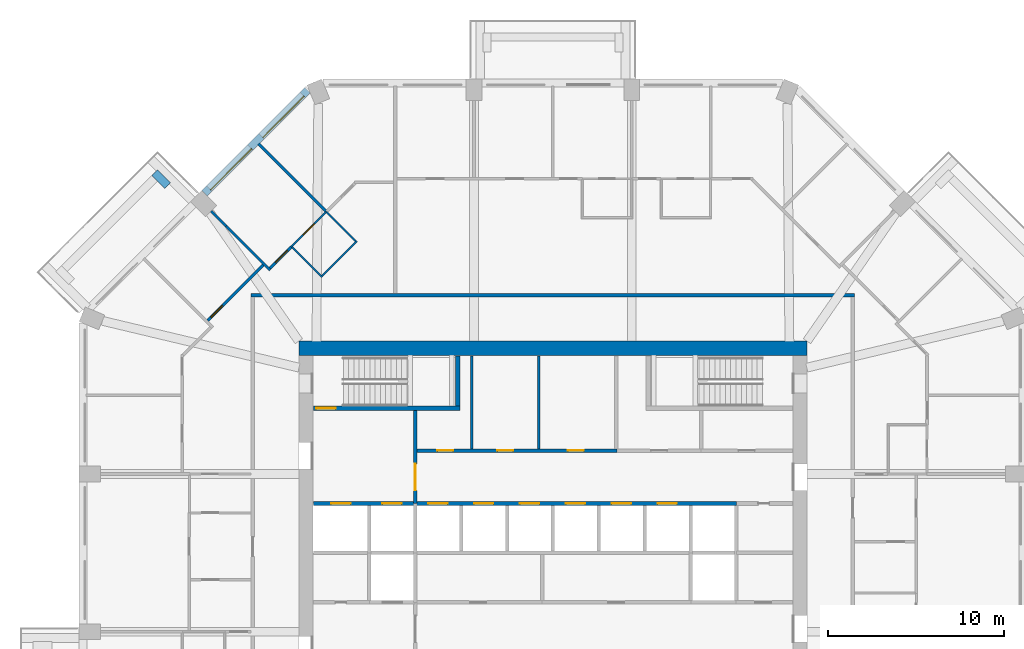
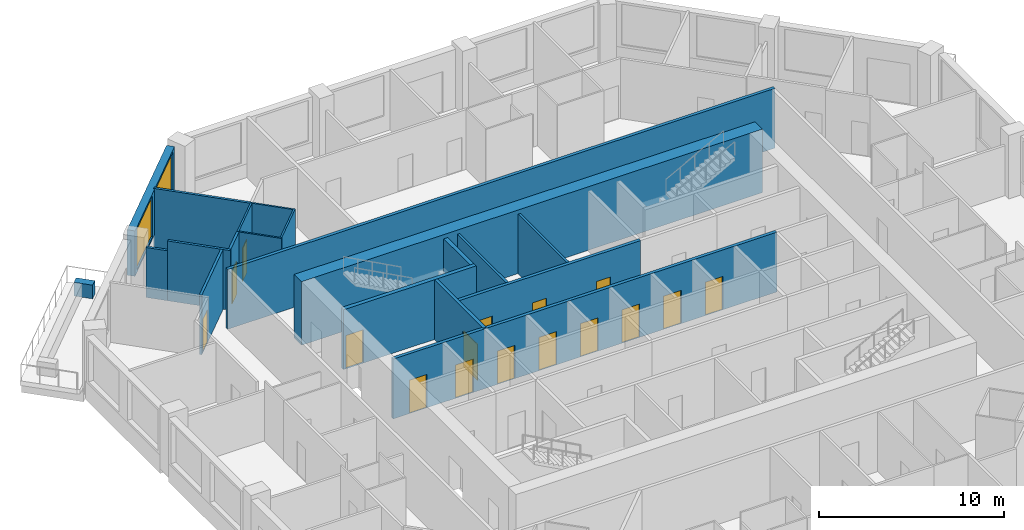
# One storey, part 8 of 12: 20 walls, 16 doors, 2 windows, 18 openings.
"""IFC4 building model written with IfcOpenShell, lengths in metres."""

from ifc_helpers import new_model, si_unit, direction, frame, frame_2d, origin, place, context, subcontext, project, spatial, rectangle, extrude, material, layer, layer_set, type_object, element, fill, save


model = new_model("IFC4")

# Units and contexts
model_context = context("Model", 3, precision=1e-05, world=origin(), true_north=direction((0.0, 1.0)))
body_context = subcontext(model_context, "Body", "Model", "MODEL_VIEW")
ifc_project = project(units=[si_unit("LENGTHUNIT", "METRE"), si_unit("AREAUNIT", "SQUARE_METRE"), si_unit("VOLUMEUNIT", "CUBIC_METRE"), si_unit("PLANEANGLEUNIT", "RADIAN"), si_unit("MASSUNIT", "GRAM", prefix="KILO")], contexts=[model_context])

# Site, building, storey
site_placement = place(None, origin())
site = spatial("IfcSite", under=ifc_project, at=site_placement, CompositionType="ELEMENT")
building_placement = place(site_placement, origin())
building = spatial("IfcBuilding", under=site, at=building_placement, Name="Msitu Wima Residences", CompositionType="ELEMENT")
storey_placement = place(building_placement, frame((0.0, 0.0, 119.10009765625)))
storey = spatial("IfcBuildingStorey", under=building, at=storey_placement, Name="L27", CompositionType="ELEMENT", Elevation=119.10009765625)

# Wall
ifc_material_1 = material(Name="Facing brick")
ifc_layer_1 = layer(ifc_material_1, 0.06494140625, Name="Facing brick")
ifc_material_2 = material(Name="Concrete C40/50", Category="concrete")
ifc_layer_2 = layer(ifc_material_2, 0.156005859375, Name="Concrete C40/50")
ifc_material_3 = material(Name="Waterproofing membrane")
ifc_layer_3 = layer(ifc_material_3, 0.00390625, Name="Waterproofing membrane")
ifc_material_4 = material(Name="Planting soil and planting")
ifc_layer_4 = layer(ifc_material_4, 0.22509765625, Name="Planting soil and planting")
ifc_layer_set_1 = layer_set([ifc_layer_1, ifc_layer_2, ifc_layer_3, ifc_layer_4], Name="Concrete C40/50")
wall_type_1 = type_object("IfcWallType", Name="Balcony planter PLANTER PL450", PredefinedType="USERDEFINED", material=ifc_layer_set_1)
wall_1_placement = place(storey_placement, frame((-21.829833984375, 20.804443359375, 0.0), z_axis=(0.0, 0.0, 1.0), x_axis=(-0.707106781187, 0.707106781187, 0.0)))
element("IfcWall", 1, at=wall_1_placement, inside=storey, type_object=wall_type_1, Name="Balcony planter NW1 L27", ObjectType="PLANTER", PredefinedType="USERDEFINED", context=body_context, shape_type="SweptSolid", body=[
    extrude(rectangle(XDim=1.050048828125, YDim=0.449951171875, at=frame_2d((0.52490234375, 0.0))), origin(), (0.0, 0.0, 1.0), 0.89990234375),
])

# Wall, openings, windows
ifc_material_5 = material(Name="Brick (red buff mix)", Category="masonry")
ifc_layer_5 = layer(ifc_material_5, 0.449951171875)
ifc_layer_set_2 = layer_set([ifc_layer_5], Name="Brick (red buff mix)")
wall_type_2 = type_object("IfcWallType", Name="Brick infill wall BW450", PredefinedType="SOLIDWALL", material=ifc_layer_set_2)
wall_2_placement = place(storey_placement, frame((-13.909423828125, 26.214599609375, 0.89990234375), z_axis=(0.0, 0.0, 1.0), x_axis=(-0.707106781187, -0.707106781187, 0.0)))
wall_2 = element("IfcWall", 2, at=wall_2_placement, inside=storey, type_object=wall_type_2, Name="Brick infill wall L27 NW0", PredefinedType="SOLIDWALL", context=body_context, shape_type="SweptSolid", body=[
    extrude(rectangle(XDim=8.251220703125, YDim=0.449951171875, at=frame_2d((4.12548828125, 0.0))), origin(), (0.0, 0.0, 1.0), 3.0),
])
opening_1_placement = place(wall_2_placement, frame((0.37548828125, 0.0, 0.14990234375)))
opening_1 = element("IfcOpeningElement", 3, at=opening_1_placement, cuts=wall_2, Name="Opening W27-29.014", PredefinedType="OPENING", context=body_context, shape_type="SweptSolid", body=[
    extrude(rectangle(XDim=3.300048828125, YDim=2.699951171875, at=frame_2d((1.64990234375, 1.35009765625))), frame((0.0, 0.23486328125, 0.0), z_axis=(0.0, -1.0, 0.0), x_axis=(1.0, 0.0, 0.0)), (0.0, 0.0, 1.0), 0.469970703125),
])
opening_2_placement = place(wall_2_placement, frame((4.57568359375, 0.0, 0.14990234375)))
opening_2 = element("IfcOpeningElement", 4, at=opening_2_placement, cuts=wall_2, Name="Opening W27-29.015", PredefinedType="OPENING", context=body_context, shape_type="SweptSolid", body=[
    extrude(rectangle(XDim=3.300048828125, YDim=2.699951171875, at=frame_2d((1.64990234375, 1.35009765625))), frame((0.0, 0.23486328125, 0.0), z_axis=(0.0, -1.0, 0.0), x_axis=(1.0, 0.0, 0.0)), (0.0, 0.0, 1.0), 0.469970703125),
])
ifc_material_6 = material(Name="Anodised aluminium, bronze finish, clear low-emissivity double glazing", Category="aluminium")
window_type = type_object("IfcWindowType", Name="Window W3300x2700", PartitioningType="DOUBLE_PANEL_VERTICAL", PredefinedType="WINDOW", material=ifc_material_6)
window_1_placement = place(opening_1_placement, origin())
window_1 = element("IfcWindow", 5, at=window_1_placement, inside=storey, type_object=window_type, Name="Window L27 NW0.1", OverallHeight=2.699951171875, OverallWidth=3.300048828125, PartitioningType="SINGLE_PANEL", PredefinedType="WINDOW", context=body_context, shape_type="SweptSolid", body=[
    extrude(rectangle(XDim=3.300048828125, YDim=2.699951171875, at=frame_2d((1.64990234375, 1.35009765625))), frame((0.0, 0.135009765625, 0.0), z_axis=(0.0, -1.0, 0.0), x_axis=(1.0, 0.0, 0.0)), (0.0, 0.0, 1.0), 0.06005859375),
])
fill(opening_1, window_1)
window_2_placement = place(opening_2_placement, origin())
window_2 = element("IfcWindow", 6, at=window_2_placement, inside=storey, type_object=window_type, Name="Window L27 NW0.2", OverallHeight=2.699951171875, OverallWidth=3.300048828125, PartitioningType="SINGLE_PANEL", PredefinedType="WINDOW", context=body_context, shape_type="SweptSolid", body=[
    extrude(rectangle(XDim=3.300048828125, YDim=2.699951171875, at=frame_2d((1.64990234375, 1.35009765625))), frame((0.0, 0.135009765625, 0.0), z_axis=(0.0, -1.0, 0.0), x_axis=(1.0, 0.0, 0.0)), (0.0, 0.0, 1.0), 0.06005859375),
])
fill(opening_2, window_2)

# Walls
ifc_material_7 = material(Name="Concrete C70/85", Category="concrete")
ifc_layer_6 = layer(ifc_material_7, 0.800048828125)
ifc_layer_set_3 = layer_set([ifc_layer_6], Name="Concrete C70/85")
wall_type_3 = type_object("IfcWallType", Name="Core wall CW800 C70/85", PredefinedType="SHEAR", material=ifc_layer_set_3)
wall_3_placement = place(storey_placement, frame((-14.39990234375, 11.60009765625, 0.0), z_axis=(0.0, 0.0, 1.0), x_axis=(1.0, 0.0, 0.0)))
element("IfcWall", 7, at=wall_3_placement, inside=storey, type_object=wall_type_3, Name="Core wall", PredefinedType="SHEAR", context=body_context, shape_type="SweptSolid", body=[
    extrude(rectangle(XDim=28.7998046875, YDim=0.800048828125, at=frame_2d((14.39990234375, 0.0))), origin(), (0.0, 0.0, 1.0), 4.199951171875),
])
ifc_material_8 = material(Name="Plaster")
ifc_layer_7 = layer(ifc_material_8, 0.011962890625, Name="Plaster")
ifc_material_9 = material(Name="Concrete blockwork", Category="masonry")
ifc_layer_8 = layer(ifc_material_9, 0.176025390625, Name="Concrete blockwork")
ifc_layer_9 = layer(ifc_material_8, 0.011962890625, Name="Plaster")
ifc_layer_set_4 = layer_set([ifc_layer_7, ifc_layer_8, ifc_layer_9], Name="Concrete blockwork")
wall_type_4 = type_object("IfcWallType", Name="Corridor wall FW200", PredefinedType="PARTITIONING", material=ifc_layer_set_4)
wall_4_placement = place(storey_placement, frame((-17.10009765625, 14.60009765625, 0.0), z_axis=(0.0, 0.0, 1.0), x_axis=(1.0, 0.0, 0.0)))
element("IfcWall", 8, at=wall_4_placement, inside=storey, type_object=wall_type_4, Name="Corridor wall", PredefinedType="PARTITIONING", context=body_context, shape_type="SweptSolid", body=[
    extrude(rectangle(XDim=34.2001953125, YDim=0.199951171875, at=frame_2d((17.10009765625, 0.0))), origin(), (0.0, 0.0, 1.0), 3.949951171875),
])

# Wall, opening, door
wall_5_placement = place(storey_placement, frame((-7.800048828125, 2.800048828125, 0.0), z_axis=(0.0, 0.0, 1.0), x_axis=(0.0, 1.0, 0.0)))
wall_5 = element("IfcWall", 9, at=wall_5_placement, inside=storey, type_object=wall_type_4, Name="Corridor wall", PredefinedType="PARTITIONING", context=body_context, shape_type="SweptSolid", body=[
    extrude(rectangle(XDim=5.27490234375, YDim=0.199951171875, at=frame_2d((2.637451171875, 0.0))), origin(), (0.0, 0.0, 1.0), 3.949951171875),
])
opening_3_placement = place(wall_5_placement, frame((0.75, 0.0, 0.0)))
opening_3 = element("IfcOpeningElement", 10, at=opening_3_placement, cuts=wall_5, Name="Opening D27-29.013", PredefinedType="OPENING", context=body_context, shape_type="SweptSolid", body=[
    extrude(rectangle(XDim=1.5, YDim=2.39990234375, at=frame_2d((0.75, 1.199951171875))), frame((0.0, 0.10986328125, 0.0), z_axis=(0.0, -1.0, 0.0), x_axis=(1.0, 0.0, 0.0)), (0.0, 0.0, 1.0), 0.219970703125),
])
ifc_material_10 = material(Name="Steel framed glazed door, fire resisting", Category="steel")
door_type_1 = type_object("IfcDoorType", Name="Lobby door D07 1500x2400", OperationType="DOUBLE_DOOR_SINGLE_SWING", PredefinedType="DOOR", material=ifc_material_10)
door_1_placement = place(opening_3_placement, origin())
door_1 = element("IfcDoor", 11, at=door_1_placement, inside=storey, type_object=door_type_1, Name="Lobby door", OperationType="DOUBLE_DOOR_SINGLE_SWING", OverallHeight=2.39990234375, OverallWidth=1.5, PredefinedType="DOOR", context=body_context, shape_type="SweptSolid", body=[
    extrude(rectangle(XDim=1.5, YDim=2.39990234375, at=frame_2d((0.75, 1.199951171875))), frame((0.0, 0.02490234375, 0.0), z_axis=(0.0, -1.0, 0.0), x_axis=(1.0, 0.0, 0.0)), (0.0, 0.0, 1.0), 0.050048828125),
])
fill(opening_3, door_1)

# Wall, openings, doors
wall_6_placement = place(storey_placement, frame((-7.699951171875, 5.800048828125, 0.0), z_axis=(0.0, 0.0, 1.0), x_axis=(1.0, 0.0, 0.0)))
wall_6 = element("IfcWall", 12, at=wall_6_placement, inside=storey, type_object=wall_type_4, Name="Corridor wall", PredefinedType="PARTITIONING", context=body_context, shape_type="SweptSolid", body=[
    extrude(rectangle(XDim=11.320068359375, YDim=0.199951171875, at=frame_2d((5.66015625, 0.0))), origin(), (0.0, 0.0, 1.0), 3.949951171875),
])
opening_4_placement = place(wall_6_placement, frame((1.14990234375, 0.0, 0.0)))
opening_4 = element("IfcOpeningElement", 13, at=opening_4_placement, cuts=wall_6, Name="Opening D27-29.016", PredefinedType="OPENING", context=body_context, shape_type="SweptSolid", body=[
    extrude(rectangle(XDim=0.89990234375, YDim=2.199951171875, at=frame_2d((0.449951171875, 1.10009765625))), frame((0.0, 0.10986328125, 0.0), z_axis=(0.0, -1.0, 0.0), x_axis=(1.0, 0.0, 0.0)), (0.0, 0.0, 1.0), 0.219970703125),
])
opening_5_placement = place(wall_6_placement, frame((4.550048828125, 0.0, 0.0)))
opening_5 = element("IfcOpeningElement", 14, at=opening_5_placement, cuts=wall_6, Name="Opening D27-29.017", PredefinedType="OPENING", context=body_context, shape_type="SweptSolid", body=[
    extrude(rectangle(XDim=0.89990234375, YDim=2.199951171875, at=frame_2d((0.449951171875, 1.10009765625))), frame((0.0, 0.10986328125, 0.0), z_axis=(0.0, -1.0, 0.0), x_axis=(1.0, 0.0, 0.0)), (0.0, 0.0, 1.0), 0.219970703125),
])
opening_6_placement = place(wall_6_placement, frame((8.550048828125, 0.0, 0.0)))
opening_6 = element("IfcOpeningElement", 15, at=opening_6_placement, cuts=wall_6, Name="Opening D27-29.018", PredefinedType="OPENING", context=body_context, shape_type="SweptSolid", body=[
    extrude(rectangle(XDim=0.89990234375, YDim=2.199951171875, at=frame_2d((0.449951171875, 1.10009765625))), frame((0.0, 0.10986328125, 0.0), z_axis=(0.0, -1.0, 0.0), x_axis=(1.0, 0.0, 0.0)), (0.0, 0.0, 1.0), 0.219970703125),
])
ifc_material_11 = material(Name="Timber flush door", Category="wood")
door_type_2 = type_object("IfcDoorType", Name="Service door D05 900x2200", OperationType="SINGLE_SWING_LEFT", PredefinedType="DOOR", material=ifc_material_11)
door_2_placement = place(opening_4_placement, origin())
door_2 = element("IfcDoor", 16, at=door_2_placement, inside=storey, type_object=door_type_2, Name="Service door", OperationType="SINGLE_SWING_RIGHT", OverallHeight=2.199951171875, OverallWidth=0.89990234375, PredefinedType="DOOR", context=body_context, shape_type="SweptSolid", body=[
    extrude(rectangle(XDim=0.89990234375, YDim=2.199951171875, at=frame_2d((0.449951171875, 1.10009765625))), frame((0.0, 0.02490234375, 0.0), z_axis=(0.0, -1.0, 0.0), x_axis=(1.0, 0.0, 0.0)), (0.0, 0.0, 1.0), 0.050048828125),
])
fill(opening_4, door_2)
door_3_placement = place(opening_5_placement, origin())
door_3 = element("IfcDoor", 17, at=door_3_placement, inside=storey, type_object=door_type_2, Name="Service door", OperationType="SINGLE_SWING_LEFT", OverallHeight=2.199951171875, OverallWidth=0.89990234375, PredefinedType="DOOR", context=body_context, shape_type="SweptSolid", body=[
    extrude(rectangle(XDim=0.89990234375, YDim=2.199951171875, at=frame_2d((0.449951171875, 1.10009765625))), frame((0.0, 0.02490234375, 0.0), z_axis=(0.0, -1.0, 0.0), x_axis=(1.0, 0.0, 0.0)), (0.0, 0.0, 1.0), 0.050048828125),
])
fill(opening_5, door_3)
door_4_placement = place(opening_6_placement, origin())
door_4 = element("IfcDoor", 18, at=door_4_placement, inside=storey, type_object=door_type_2, Name="Service door", OperationType="SINGLE_SWING_LEFT", OverallHeight=2.199951171875, OverallWidth=0.89990234375, PredefinedType="DOOR", context=body_context, shape_type="SweptSolid", body=[
    extrude(rectangle(XDim=0.89990234375, YDim=2.199951171875, at=frame_2d((0.449951171875, 1.10009765625))), frame((0.0, 0.02490234375, 0.0), z_axis=(0.0, -1.0, 0.0), x_axis=(1.0, 0.0, 0.0)), (0.0, 0.0, 1.0), 0.050048828125),
])
fill(opening_6, door_4)

# Walls
ifc_layer_10 = layer(ifc_material_8, 0.011962890625, Name="Plaster")
ifc_layer_11 = layer(ifc_material_9, 0.1259765625, Name="Concrete blockwork")
ifc_layer_12 = layer(ifc_material_8, 0.011962890625, Name="Plaster")
ifc_layer_set_5 = layer_set([ifc_layer_10, ifc_layer_11, ifc_layer_12], Name="Concrete blockwork")
wall_type_5 = type_object("IfcWallType", Name="Partition PW150", PredefinedType="PARTITIONING", material=ifc_layer_set_5)
wall_7_placement = place(storey_placement, frame((-19.37255859375, 19.37255859375, 0.0), z_axis=(0.0, 0.0, 1.0), x_axis=(0.707106781187, -0.707106781187, 0.0)))
element("IfcWall", 19, at=wall_7_placement, inside=storey, type_object=wall_type_5, Name="Partition", PredefinedType="PARTITIONING", context=body_context, shape_type="SweptSolid", body=[
    extrude(rectangle(XDim=1.209228515625, YDim=0.14990234375, at=frame_2d((0.6044921875, 0.0))), origin(), (0.0, 0.0, 1.0), 3.2998046875),
])
wall_8_placement = place(storey_placement, frame((-18.517578125, 18.517578125, 0.0), z_axis=(0.0, 0.0, 1.0), x_axis=(0.707106781187, -0.707106781187, 0.0)))
element("IfcWall", 20, at=wall_8_placement, inside=storey, type_object=wall_type_5, Name="Partition", PredefinedType="PARTITIONING", context=body_context, shape_type="SweptSolid", body=[
    extrude(rectangle(XDim=3.515869140625, YDim=0.14990234375, at=frame_2d((1.7578125, 0.0))), origin(), (0.0, 0.0, 1.0), 3.949951171875),
])

# Wall, opening, door
wall_9_placement = place(storey_placement, frame((-19.56298828125, 13.171875, 0.0), z_axis=(0.0, 0.0, 1.0), x_axis=(0.707106781187, 0.707106781187, 0.0)))
wall_9 = element("IfcWall", 21, at=wall_9_placement, inside=storey, type_object=wall_type_5, Name="Partition", PredefinedType="PARTITIONING", context=body_context, shape_type="SweptSolid", body=[
    extrude(rectangle(XDim=4.4443359375, YDim=0.14990234375, at=frame_2d((2.22216796875, 0.0))), origin(), (0.0, 0.0, 1.0), 3.949951171875),
])
opening_7_placement = place(wall_9_placement, frame((0.25, 0.0, 0.0)))
opening_7 = element("IfcOpeningElement", 22, at=opening_7_placement, cuts=wall_9, Name="Opening D27-29.053", PredefinedType="OPENING", context=body_context, shape_type="SweptSolid", body=[
    extrude(rectangle(XDim=0.949951171875, YDim=2.199951171875, at=frame_2d((0.47509765625, 1.10009765625))), frame((0.0, 0.0849609375, 0.0), z_axis=(0.0, -1.0, 0.0), x_axis=(1.0, 0.0, 0.0)), (0.0, 0.0, 1.0), 0.169921875),
])
door_type_3 = type_object("IfcDoorType", Name="Room door D12 950x2200", OperationType="SINGLE_SWING_LEFT", PredefinedType="DOOR", material=ifc_material_11)
door_5_placement = place(opening_7_placement, origin())
door_5 = element("IfcDoor", 23, at=door_5_placement, inside=storey, type_object=door_type_3, Name="Room door", OperationType="SINGLE_SWING_LEFT", OverallHeight=2.199951171875, OverallWidth=0.949951171875, PredefinedType="DOOR", context=body_context, shape_type="SweptSolid", body=[
    extrude(rectangle(XDim=0.949951171875, YDim=2.199951171875, at=frame_2d((0.47509765625, 1.10009765625))), frame((0.0, 0.02490234375, 0.0), z_axis=(0.0, -1.0, 0.0), x_axis=(1.0, 0.0, 0.0)), (0.0, 0.0, 1.0), 0.050048828125),
])
fill(opening_7, door_5)

# Wall
wall_10_placement = place(storey_placement, frame((-16.693359375, 23.1904296875, 0.0), z_axis=(0.0, 0.0, 1.0), x_axis=(0.707106781187, -0.707106781187, 0.0)))
element("IfcWall", 24, at=wall_10_placement, inside=storey, type_object=wall_type_5, Name="Partition", PredefinedType="PARTITIONING", context=body_context, shape_type="SweptSolid", body=[
    extrude(rectangle(XDim=5.475341796875, YDim=0.14990234375, at=frame_2d((2.73779296875, 0.0))), origin(), (0.0, 0.0, 1.0), 3.949951171875),
])

# Wall, opening, door
wall_11_placement = place(storey_placement, frame((-16.031494140625, 16.1376953125, 0.0), z_axis=(0.0, 0.0, 1.0), x_axis=(0.707106781187, 0.707106781187, 0.0)))
wall_11 = element("IfcWall", 25, at=wall_11_placement, inside=storey, type_object=wall_type_5, Name="Partition", PredefinedType="PARTITIONING", context=body_context, shape_type="SweptSolid", body=[
    extrude(rectangle(XDim=1.698974609375, YDim=0.14990234375, at=frame_2d((0.849609375, 0.0))), origin(), (0.0, 0.0, 1.0), 3.949951171875),
])
opening_8_placement = place(wall_11_placement, frame((0.449951171875, 0.0, 0.0)))
opening_8 = element("IfcOpeningElement", 26, at=opening_8_placement, cuts=wall_11, Name="Opening D27-29.055", PredefinedType="OPENING", context=body_context, shape_type="SweptSolid", body=[
    extrude(rectangle(XDim=0.949951171875, YDim=2.199951171875, at=frame_2d((0.47509765625, 1.10009765625))), frame((0.0, 0.0849609375, 0.0), z_axis=(0.0, -1.0, 0.0), x_axis=(1.0, 0.0, 0.0)), (0.0, 0.0, 1.0), 0.169921875),
])
door_6_placement = place(opening_8_placement, origin())
door_6 = element("IfcDoor", 27, at=door_6_placement, inside=storey, type_object=door_type_3, Name="Room door", OperationType="SINGLE_SWING_LEFT", OverallHeight=2.199951171875, OverallWidth=0.949951171875, PredefinedType="DOOR", context=body_context, shape_type="SweptSolid", body=[
    extrude(rectangle(XDim=0.949951171875, YDim=2.199951171875, at=frame_2d((0.47509765625, 1.10009765625))), frame((0.0, 0.02490234375, 0.0), z_axis=(0.0, -1.0, 0.0), x_axis=(1.0, 0.0, 0.0)), (0.0, 0.0, 1.0), 0.050048828125),
])
fill(opening_8, door_6)

# Walls
for number, where, z_axis, x_axis, name in (
    (28, (-4.60009765625, 5.89990234375, 0.0), (0.0, 0.0, 1.0), (0.0, 1.0, 0.0), "Partition"),
    (29, (-0.800048828125, 5.89990234375, 0.0), (0.0, 0.0, 1.0), (0.0, 1.0, 0.0), "Partition"),
):
    element("IfcWall", number, at=place(storey_placement, frame(where, z_axis=z_axis, x_axis=x_axis)), inside=storey, type_object=wall_type_5, Name=name, PredefinedType="PARTITIONING", context=body_context, shape_type="SweptSolid", body=[
        extrude(rectangle(XDim=5.27001953125, YDim=0.14990234375, at=frame_2d((2.635009765625, 0.0))), origin(), (0.0, 0.0, 1.0), 3.949951171875),
    ])

# Wall, openings, doors
ifc_material_12 = material(Name="Fire-rated board")
ifc_layer_13 = layer(ifc_material_12, 0.02490234375, Name="Fire-rated board")
ifc_material_13 = material(Name="Light-gauge stud framing with mineral wool")
ifc_layer_14 = layer(ifc_material_13, 0.14990234375, Name="Light-gauge stud framing with mineral wool")
ifc_layer_15 = layer(ifc_material_12, 0.02490234375, Name="Fire-rated board")
ifc_layer_set_6 = layer_set([ifc_layer_13, ifc_layer_14, ifc_layer_15], Name="Light-gauge stud framing with mineral wool")
wall_type_6 = type_object("IfcWallType", Name="Shaft wall SH200", PredefinedType="PARTITIONING", material=ifc_layer_set_6)
wall_12_placement = place(storey_placement, frame((-13.570068359375, 2.800048828125, 0.0), z_axis=(0.0, 0.0, 1.0), x_axis=(1.0, 0.0, 0.0)))
wall_12 = element("IfcWall", 30, at=wall_12_placement, inside=storey, type_object=wall_type_6, Name="Shaft wall", PredefinedType="PARTITIONING", context=body_context, shape_type="SweptSolid", body=[
    extrude(rectangle(XDim=23.969970703125, YDim=0.199951171875, at=frame_2d((11.98486328125, 0.0))), origin(), (0.0, 0.0, 1.0), 3.949951171875),
])
opening_9_placement = place(wall_12_placement, frame((1.0, 0.0, 0.0)))
opening_9 = element("IfcOpeningElement", 31, at=opening_9_placement, cuts=wall_12, Name="Opening LD", PredefinedType="OPENING", context=body_context, shape_type="SweptSolid", body=[
    extrude(rectangle(XDim=1.10009765625, YDim=2.199951171875, at=frame_2d((0.550048828125, 1.10009765625))), frame((0.0, 0.10986328125, 0.0), z_axis=(0.0, -1.0, 0.0), x_axis=(1.0, 0.0, 0.0)), (0.0, 0.0, 1.0), 0.219970703125),
])
opening_10_placement = place(wall_12_placement, frame((3.89990234375, 0.0, 0.0)))
opening_10 = element("IfcOpeningElement", 32, at=opening_10_placement, cuts=wall_12, Name="Opening LD", PredefinedType="OPENING", context=body_context, shape_type="SweptSolid", body=[
    extrude(rectangle(XDim=1.10009765625, YDim=2.199951171875, at=frame_2d((0.550048828125, 1.10009765625))), frame((0.0, 0.10986328125, 0.0), z_axis=(0.0, -1.0, 0.0), x_axis=(1.0, 0.0, 0.0)), (0.0, 0.0, 1.0), 0.219970703125),
])
opening_11_placement = place(wall_12_placement, frame((6.5, 0.0, 0.0)))
opening_11 = element("IfcOpeningElement", 33, at=opening_11_placement, cuts=wall_12, Name="Opening LD", PredefinedType="OPENING", context=body_context, shape_type="SweptSolid", body=[
    extrude(rectangle(XDim=1.10009765625, YDim=2.199951171875, at=frame_2d((0.550048828125, 1.10009765625))), frame((0.0, 0.10986328125, 0.0), z_axis=(0.0, -1.0, 0.0), x_axis=(1.0, 0.0, 0.0)), (0.0, 0.0, 1.0), 0.219970703125),
])
opening_12_placement = place(wall_12_placement, frame((9.10009765625, 0.0, 0.0)))
opening_12 = element("IfcOpeningElement", 34, at=opening_12_placement, cuts=wall_12, Name="Opening LD", PredefinedType="OPENING", context=body_context, shape_type="SweptSolid", body=[
    extrude(rectangle(XDim=1.10009765625, YDim=2.199951171875, at=frame_2d((0.550048828125, 1.10009765625))), frame((0.0, 0.10986328125, 0.0), z_axis=(0.0, -1.0, 0.0), x_axis=(1.0, 0.0, 0.0)), (0.0, 0.0, 1.0), 0.219970703125),
])
opening_13_placement = place(wall_12_placement, frame((11.699951171875, 0.0, 0.0)))
opening_13 = element("IfcOpeningElement", 35, at=opening_13_placement, cuts=wall_12, Name="Opening LD", PredefinedType="OPENING", context=body_context, shape_type="SweptSolid", body=[
    extrude(rectangle(XDim=1.10009765625, YDim=2.199951171875, at=frame_2d((0.550048828125, 1.10009765625))), frame((0.0, 0.10986328125, 0.0), z_axis=(0.0, -1.0, 0.0), x_axis=(1.0, 0.0, 0.0)), (0.0, 0.0, 1.0), 0.219970703125),
])
opening_14_placement = place(wall_12_placement, frame((14.300048828125, 0.0, 0.0)))
opening_14 = element("IfcOpeningElement", 36, at=opening_14_placement, cuts=wall_12, Name="Opening LD", PredefinedType="OPENING", context=body_context, shape_type="SweptSolid", body=[
    extrude(rectangle(XDim=1.10009765625, YDim=2.199951171875, at=frame_2d((0.550048828125, 1.10009765625))), frame((0.0, 0.10986328125, 0.0), z_axis=(0.0, -1.0, 0.0), x_axis=(1.0, 0.0, 0.0)), (0.0, 0.0, 1.0), 0.219970703125),
])
opening_15_placement = place(wall_12_placement, frame((16.89990234375, 0.0, 0.0)))
opening_15 = element("IfcOpeningElement", 37, at=opening_15_placement, cuts=wall_12, Name="Opening LD", PredefinedType="OPENING", context=body_context, shape_type="SweptSolid", body=[
    extrude(rectangle(XDim=1.10009765625, YDim=2.199951171875, at=frame_2d((0.550048828125, 1.10009765625))), frame((0.0, 0.10986328125, 0.0), z_axis=(0.0, -1.0, 0.0), x_axis=(1.0, 0.0, 0.0)), (0.0, 0.0, 1.0), 0.219970703125),
])
opening_16_placement = place(wall_12_placement, frame((19.5, 0.0, 0.0)))
opening_16 = element("IfcOpeningElement", 38, at=opening_16_placement, cuts=wall_12, Name="Opening LD", PredefinedType="OPENING", context=body_context, shape_type="SweptSolid", body=[
    extrude(rectangle(XDim=1.10009765625, YDim=2.199951171875, at=frame_2d((0.550048828125, 1.10009765625))), frame((0.0, 0.10986328125, 0.0), z_axis=(0.0, -1.0, 0.0), x_axis=(1.0, 0.0, 0.0)), (0.0, 0.0, 1.0), 0.219970703125),
])
ifc_material_14 = material(Name="Stainless steel centre-opening landing door, rated", Category="steel")
door_type_4 = type_object("IfcDoorType", Name="Lift landing door LD 1100x2200", OperationType="DOUBLE_DOOR_SLIDING", PredefinedType="DOOR", material=ifc_material_14)
door_7_placement = place(opening_9_placement, origin())
door_7 = element("IfcDoor", 39, at=door_7_placement, inside=storey, type_object=door_type_4, Name="Lift landing door LD1", OperationType="DOUBLE_DOOR_SLIDING", OverallHeight=2.199951171875, OverallWidth=1.10009765625, PredefinedType="DOOR", context=body_context, shape_type="SweptSolid", body=[
    extrude(rectangle(XDim=1.10009765625, YDim=2.199951171875, at=frame_2d((0.550048828125, 1.10009765625))), frame((0.0, 0.02490234375, 0.0), z_axis=(0.0, -1.0, 0.0), x_axis=(1.0, 0.0, 0.0)), (0.0, 0.0, 1.0), 0.050048828125),
])
fill(opening_9, door_7)
door_8_placement = place(opening_10_placement, origin())
door_8 = element("IfcDoor", 40, at=door_8_placement, inside=storey, type_object=door_type_4, Name="Lift landing door LD2", OperationType="DOUBLE_DOOR_SLIDING", OverallHeight=2.199951171875, OverallWidth=1.10009765625, PredefinedType="DOOR", context=body_context, shape_type="SweptSolid", body=[
    extrude(rectangle(XDim=1.10009765625, YDim=2.199951171875, at=frame_2d((0.550048828125, 1.10009765625))), frame((0.0, 0.02490234375, 0.0), z_axis=(0.0, -1.0, 0.0), x_axis=(1.0, 0.0, 0.0)), (0.0, 0.0, 1.0), 0.050048828125),
])
fill(opening_10, door_8)
door_9_placement = place(opening_11_placement, origin())
door_9 = element("IfcDoor", 41, at=door_9_placement, inside=storey, type_object=door_type_4, Name="Lift landing door LD4", OperationType="DOUBLE_DOOR_SLIDING", OverallHeight=2.199951171875, OverallWidth=1.10009765625, PredefinedType="DOOR", context=body_context, shape_type="SweptSolid", body=[
    extrude(rectangle(XDim=1.10009765625, YDim=2.199951171875, at=frame_2d((0.550048828125, 1.10009765625))), frame((0.0, 0.02490234375, 0.0), z_axis=(0.0, -1.0, 0.0), x_axis=(1.0, 0.0, 0.0)), (0.0, 0.0, 1.0), 0.050048828125),
])
fill(opening_11, door_9)
door_10_placement = place(opening_12_placement, origin())
door_10 = element("IfcDoor", 42, at=door_10_placement, inside=storey, type_object=door_type_4, Name="Lift landing door LD6", OperationType="DOUBLE_DOOR_SLIDING", OverallHeight=2.199951171875, OverallWidth=1.10009765625, PredefinedType="DOOR", context=body_context, shape_type="SweptSolid", body=[
    extrude(rectangle(XDim=1.10009765625, YDim=2.199951171875, at=frame_2d((0.550048828125, 1.10009765625))), frame((0.0, 0.02490234375, 0.0), z_axis=(0.0, -1.0, 0.0), x_axis=(1.0, 0.0, 0.0)), (0.0, 0.0, 1.0), 0.050048828125),
])
fill(opening_12, door_10)
door_11_placement = place(opening_13_placement, origin())
door_11 = element("IfcDoor", 43, at=door_11_placement, inside=storey, type_object=door_type_4, Name="Lift landing door LD8", OperationType="DOUBLE_DOOR_SLIDING", OverallHeight=2.199951171875, OverallWidth=1.10009765625, PredefinedType="DOOR", context=body_context, shape_type="SweptSolid", body=[
    extrude(rectangle(XDim=1.10009765625, YDim=2.199951171875, at=frame_2d((0.550048828125, 1.10009765625))), frame((0.0, 0.02490234375, 0.0), z_axis=(0.0, -1.0, 0.0), x_axis=(1.0, 0.0, 0.0)), (0.0, 0.0, 1.0), 0.050048828125),
])
fill(opening_13, door_11)
door_12_placement = place(opening_14_placement, origin())
door_12 = element("IfcDoor", 44, at=door_12_placement, inside=storey, type_object=door_type_4, Name="Lift landing door LD10", OperationType="DOUBLE_DOOR_SLIDING", OverallHeight=2.199951171875, OverallWidth=1.10009765625, PredefinedType="DOOR", context=body_context, shape_type="SweptSolid", body=[
    extrude(rectangle(XDim=1.10009765625, YDim=2.199951171875, at=frame_2d((0.550048828125, 1.10009765625))), frame((0.0, 0.02490234375, 0.0), z_axis=(0.0, -1.0, 0.0), x_axis=(1.0, 0.0, 0.0)), (0.0, 0.0, 1.0), 0.050048828125),
])
fill(opening_14, door_12)
door_13_placement = place(opening_15_placement, origin())
door_13 = element("IfcDoor", 45, at=door_13_placement, inside=storey, type_object=door_type_4, Name="Lift landing door LD12", OperationType="DOUBLE_DOOR_SLIDING", OverallHeight=2.199951171875, OverallWidth=1.10009765625, PredefinedType="DOOR", context=body_context, shape_type="SweptSolid", body=[
    extrude(rectangle(XDim=1.10009765625, YDim=2.199951171875, at=frame_2d((0.550048828125, 1.10009765625))), frame((0.0, 0.02490234375, 0.0), z_axis=(0.0, -1.0, 0.0), x_axis=(1.0, 0.0, 0.0)), (0.0, 0.0, 1.0), 0.050048828125),
])
fill(opening_15, door_13)
door_14_placement = place(opening_16_placement, origin())
door_14 = element("IfcDoor", 46, at=door_14_placement, inside=storey, type_object=door_type_4, Name="Lift landing door LD14", OperationType="DOUBLE_DOOR_SLIDING", OverallHeight=2.199951171875, OverallWidth=1.10009765625, PredefinedType="DOOR", context=body_context, shape_type="SweptSolid", body=[
    extrude(rectangle(XDim=1.10009765625, YDim=2.199951171875, at=frame_2d((0.550048828125, 1.10009765625))), frame((0.0, 0.02490234375, 0.0), z_axis=(0.0, -1.0, 0.0), x_axis=(1.0, 0.0, 0.0)), (0.0, 0.0, 1.0), 0.050048828125),
])
fill(opening_16, door_14)

# Wall, opening, door
ifc_material_15 = material(Name="Concrete C50/60", Category="concrete")
ifc_layer_16 = layer(ifc_material_15, 0.25)
ifc_layer_set_7 = layer_set([ifc_layer_16], Name="Concrete C50/60")
wall_type_7 = type_object("IfcWallType", Name="Stair enclosure wall SW250", PredefinedType="SHEAR", material=ifc_layer_set_7)
wall_13_placement = place(storey_placement, frame((-13.570068359375, 8.199951171875, 0.0), z_axis=(0.0, 0.0, 1.0), x_axis=(1.0, 0.0, 0.0)))
wall_13 = element("IfcWall", 47, at=wall_13_placement, inside=storey, type_object=wall_type_7, Name="Stair enclosure wall", PredefinedType="SHEAR", context=body_context, shape_type="SweptSolid", body=[
    extrude(rectangle(XDim=8.295166015625, YDim=0.25, at=frame_2d((4.1474609375, 0.0))), origin(), (0.0, 0.0, 1.0), 3.949951171875),
])
opening_17_placement = place(wall_13_placement, frame((0.14990234375, 0.0, 0.0)))
opening_17 = element("IfcOpeningElement", 48, at=opening_17_placement, cuts=wall_13, Name="Opening D27-29.032", PredefinedType="OPENING", context=body_context, shape_type="SweptSolid", body=[
    extrude(rectangle(XDim=1.10009765625, YDim=2.199951171875, at=frame_2d((0.550048828125, 1.10009765625))), frame((0.0, 0.135009765625, 0.0), z_axis=(0.0, -1.0, 0.0), x_axis=(1.0, 0.0, 0.0)), (0.0, 0.0, 1.0), 0.27001953125),
])
ifc_material_16 = material(Name="Steel door, fire resisting, panic bar", Category="steel")
door_type_5 = type_object("IfcDoorType", Name="Stair door D06 1100x2200", OperationType="SINGLE_SWING_LEFT", PredefinedType="DOOR", material=ifc_material_16)
door_15_placement = place(opening_17_placement, origin())
door_15 = element("IfcDoor", 49, at=door_15_placement, inside=storey, type_object=door_type_5, Name="Stair door", OperationType="SINGLE_SWING_LEFT", OverallHeight=2.199951171875, OverallWidth=1.10009765625, PredefinedType="DOOR", context=body_context, shape_type="SweptSolid", body=[
    extrude(rectangle(XDim=1.10009765625, YDim=2.199951171875, at=frame_2d((0.550048828125, 1.10009765625))), frame((0.0, 0.02490234375, 0.0), z_axis=(0.0, -1.0, 0.0), x_axis=(1.0, 0.0, 0.0)), (0.0, 0.0, 1.0), 0.050048828125),
])
fill(opening_17, door_15)

# Wall
wall_14_placement = place(storey_placement, frame((-5.39990234375, 8.324951171875, 0.0), z_axis=(0.0, 0.0, 1.0), x_axis=(0.0, 1.0, 0.0)))
element("IfcWall", 50, at=wall_14_placement, inside=storey, type_object=wall_type_7, Name="Stair enclosure wall", PredefinedType="SHEAR", context=body_context, shape_type="SweptSolid", body=[
    extrude(rectangle(XDim=2.844970703125, YDim=0.25, at=frame_2d((1.42236328125, 0.0))), origin(), (0.0, 0.0, 1.0), 3.949951171875),
])

# Wall, opening, door
ifc_material_17 = material(Name="Ceramic tiles")
ifc_layer_17 = layer(ifc_material_17, 0.008056640625, Name="Ceramic tiles")
ifc_material_18 = material(Name="Moisture-resistant board")
ifc_layer_18 = layer(ifc_material_18, 0.012451171875, Name="Moisture-resistant board")
ifc_layer_19 = layer(ifc_material_13, 0.06689453125, Name="Light-gauge stud framing with mineral wool")
ifc_layer_20 = layer(ifc_material_18, 0.012451171875, Name="Moisture-resistant board")
ifc_layer_set_8 = layer_set([ifc_layer_17, ifc_layer_18, ifc_layer_19, ifc_layer_20], Name="Light-gauge stud framing with mineral wool")
wall_type_8 = type_object("IfcWallType", Name="Wet wall PW100", PredefinedType="PARTITIONING", material=ifc_layer_set_8)
wall_15_placement = place(storey_placement, frame((-14.830078125, 17.339111328125, 0.0), z_axis=(0.0, 0.0, 1.0), x_axis=(0.707149762482, 0.707063797279, 0.0)))
wall_15 = element("IfcWall", 51, at=wall_15_placement, inside=storey, type_object=wall_type_8, Name="Wet wall", PredefinedType="PARTITIONING", context=body_context, shape_type="SweptSolid", body=[
    extrude(rectangle(XDim=2.840087890625, YDim=0.10009765625, at=frame_2d((1.419921875, 0.0))), origin(), (0.0, 0.0, 1.0), 3.949951171875),
])
opening_18_placement = place(wall_15_placement, frame((0.949951171875, 0.0, 0.0)))
opening_18 = element("IfcOpeningElement", 52, at=opening_18_placement, cuts=wall_15, Name="Opening D27-29.056", PredefinedType="OPENING", context=body_context, shape_type="SweptSolid", body=[
    extrude(rectangle(XDim=0.89990234375, YDim=2.199951171875, at=frame_2d((0.449951171875, 1.10009765625))), frame((0.0, 0.06005859375, 0.0), z_axis=(0.0, -1.0, 0.0), x_axis=(1.0, 0.0, 0.0)), (0.0, 0.0, 1.0), 0.1201171875),
])
ifc_material_19 = material(Name="Timber flush door, moisture resistant", Category="wood")
door_type_6 = type_object("IfcDoorType", Name="Bathroom door D03 900x2200", OperationType="SINGLE_SWING_LEFT", PredefinedType="DOOR", material=ifc_material_19)
door_16_placement = place(opening_18_placement, origin())
door_16 = element("IfcDoor", 53, at=door_16_placement, inside=storey, type_object=door_type_6, Name="Bathroom door", OperationType="SINGLE_SWING_RIGHT", OverallHeight=2.199951171875, OverallWidth=0.89990234375, PredefinedType="DOOR", context=body_context, shape_type="SweptSolid", body=[
    extrude(rectangle(XDim=0.89990234375, YDim=2.199951171875, at=frame_2d((0.449951171875, 1.10009765625))), frame((0.0, 0.02490234375, 0.0), z_axis=(0.0, -1.0, 0.0), x_axis=(1.0, 0.0, 0.0)), (0.0, 0.0, 1.0), 0.050048828125),
])
fill(opening_18, door_16)

# Walls
wall_16_placement = place(storey_placement, frame((-14.780517578125, 17.31787109375, 0.0), z_axis=(0.0, 0.0, 1.0), x_axis=(0.707106781187, -0.707106781187, 0.0)))
element("IfcWall", 54, at=wall_16_placement, inside=storey, type_object=wall_type_8, Name="Wet wall", PredefinedType="PARTITIONING", context=body_context, shape_type="SweptSolid", body=[
    extrude(rectangle(XDim=2.39990234375, YDim=0.10009765625, at=frame_2d((1.199951171875, 0.0))), origin(), (0.0, 0.0, 1.0), 3.949951171875),
])
wall_17_placement = place(storey_placement, frame((-13.08349609375, 15.69140625, 0.0), z_axis=(0.0, 0.0, 1.0), x_axis=(0.707106781187, 0.707106781187, 0.0)))
element("IfcWall", 55, at=wall_17_placement, inside=storey, type_object=wall_type_8, Name="Wet wall", PredefinedType="PARTITIONING", context=body_context, shape_type="SweptSolid", body=[
    extrude(rectangle(XDim=2.800048828125, YDim=0.10009765625, at=frame_2d((1.39990234375, 0.0))), origin(), (0.0, 0.0, 1.0), 3.949951171875),
])
wall_18_placement = place(storey_placement, frame((-12.82177734375, 19.31884765625, 0.0), z_axis=(0.0, 0.0, 1.0), x_axis=(0.707106781187, -0.707106781187, 0.0)))
element("IfcWall", 56, at=wall_18_placement, inside=storey, type_object=wall_type_8, Name="Wet wall", PredefinedType="PARTITIONING", context=body_context, shape_type="SweptSolid", body=[
    extrude(rectangle(XDim=2.329833984375, YDim=0.10009765625, at=frame_2d((1.1650390625, 0.0))), origin(), (0.0, 0.0, 1.0), 3.949951171875),
])

save(model, "model.ifc")
